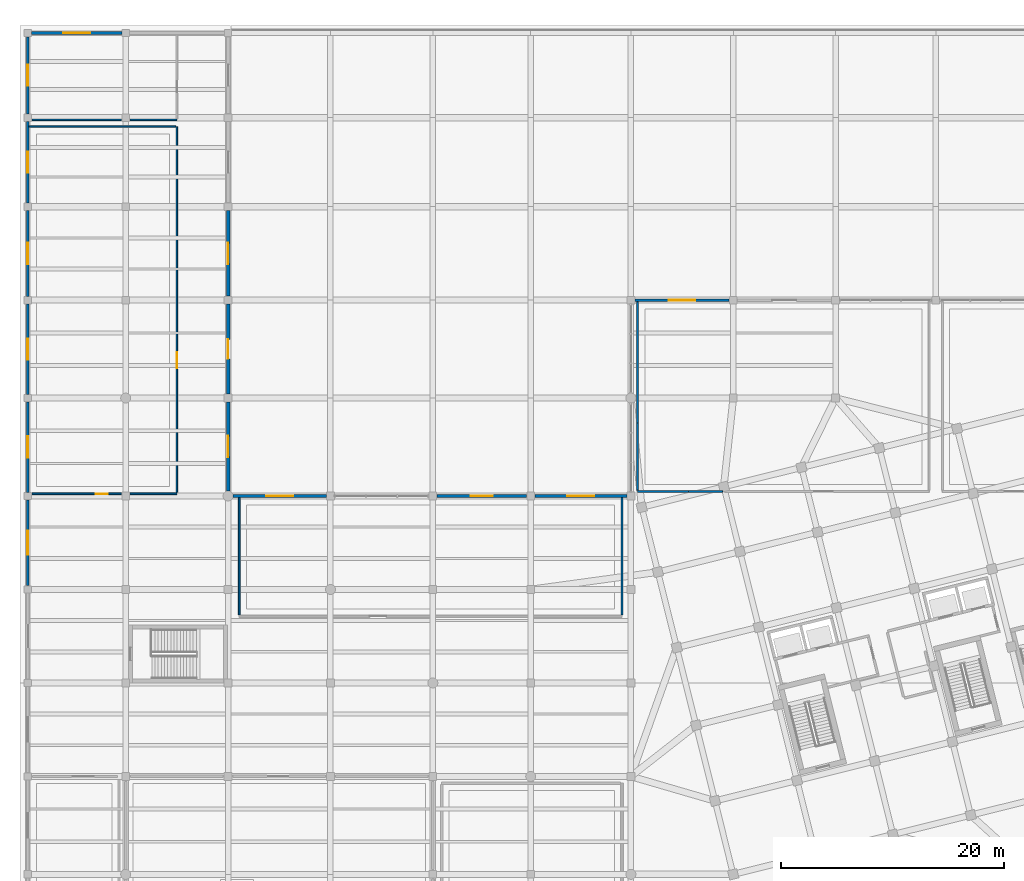
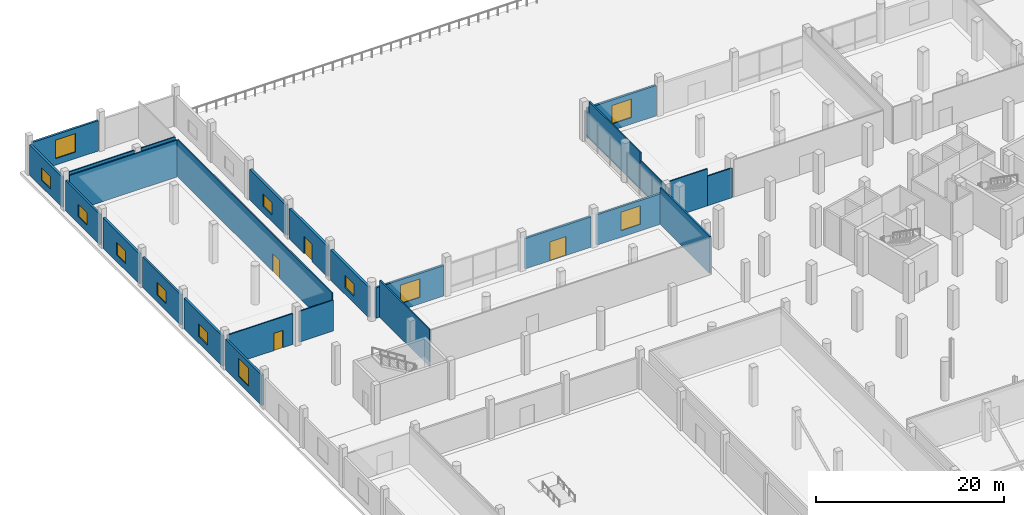
# One storey, part 61 of 73: 26 walls, 12 windows, 4 doors, 16 openings.
"""IFC4 building model written with IfcOpenShell, lengths in metres."""

from ifc_helpers import new_model, si_unit, direction, frame, frame_2d, origin, place, context, subcontext, project, spatial, rectangle, extrude, material, layer, layer_set, type_object, element, fill, save


model = new_model("IFC4")

# Units and contexts
model_context = context("Model", 3, precision=1e-05, world=origin(), true_north=direction((0.0, 1.0)))
body_context = subcontext(model_context, "Body", "Model", "MODEL_VIEW")
ifc_project = project(units=[si_unit("LENGTHUNIT", "METRE"), si_unit("AREAUNIT", "SQUARE_METRE"), si_unit("VOLUMEUNIT", "CUBIC_METRE"), si_unit("PLANEANGLEUNIT", "RADIAN"), si_unit("MASSUNIT", "GRAM", prefix="KILO")], contexts=[model_context])

# Site, building, storey
site_placement = place(None, origin())
site = spatial("IfcSite", under=ifc_project, at=site_placement, CompositionType="ELEMENT")
building_placement = place(site_placement, origin())
building = spatial("IfcBuilding", under=site, at=building_placement, Name="Meriwether Solvik Hall", CompositionType="ELEMENT")
storey_placement = place(building_placement, origin())
storey = spatial("IfcBuildingStorey", under=building, at=storey_placement, Name="L00", CompositionType="ELEMENT", Elevation=0.0)

# Walls
ifc_material_1 = material(Name="Double-Layer Acoustic Gypsum Board", Category="gypsum")
ifc_layer_1 = layer(ifc_material_1, 0.1650390625)
ifc_layer_set_1 = layer_set([ifc_layer_1], Name="Double-Layer Acoustic Gypsum Board")
wall_type_1 = type_object("IfcWallType", Name="WALL-DEM-165", PredefinedType="PARTITIONING", material=ifc_layer_set_1)
for number, where, z_axis, x_axis, name in (
    (1, (58.60009765625, 64.52001953125, 0.0), (0.0, 0.0, 1.0), (0.0, 1.0, 0.0), "L00 Interior Partition vol_west_e"),
    (2, (24.199951171875, 75.050048828125, 0.0), (0.0, 0.0, 1.0), (0.0, -1.0, 0.0), "L00 Interior Partition vol_west_w"),
):
    element("IfcWall", number, at=place(storey_placement, frame(where, z_axis=z_axis, x_axis=x_axis)), inside=storey, type_object=wall_type_1, Name=name, PredefinedType="PARTITIONING", context=body_context, shape_type="SweptSolid", body=[
        extrude(rectangle(XDim=10.530029296875, YDim=0.1650390625, at=frame_2d((5.26513671875, 0.0))), origin(), (0.0, 0.0, 1.0), 4.800048828125),
    ])

# Wall, opening, window
ifc_material_2 = material(Name="Terracotta Cladding on Concrete C40/50", Category="masonry")
ifc_layer_2 = layer(ifc_material_2, 0.2548828125)
ifc_layer_set_2 = layer_set([ifc_layer_2], Name="Terracotta Cladding on Concrete C40/50")
wall_type_2 = type_object("IfcWallType", Name="WALL-EXT-255", PredefinedType="SOLIDWALL", material=ifc_layer_set_2)
wall_1_placement = place(storey_placement, frame((23.662109375, 75.199951171875, 0.0), z_axis=(0.0, 0.0, 1.0), x_axis=(1.0, 0.0, 0.0)))
wall_1 = element("IfcWall", 3, at=wall_1_placement, inside=storey, type_object=wall_type_2, Name="L00 N Wing Facade Wall XI_3_18", PredefinedType="SOLIDWALL", context=body_context, shape_type="SweptSolid", body=[
    extrude(rectangle(XDim=8.3759765625, YDim=0.2548828125, at=frame_2d((4.18798828125, 0.0))), origin(), (0.0, 0.0, 1.0), 3.93994140625),
])
opening_1_placement = place(wall_1_placement, frame((2.988037109375, 0.0, 0.85009765625)))
opening_1 = element("IfcOpeningElement", 4, at=opening_1_placement, cuts=wall_1, Name="Opening WN-105", PredefinedType="OPENING", context=body_context, shape_type="SweptSolid", body=[
    extrude(rectangle(XDim=2.39990234375, YDim=2.39990234375, at=frame_2d((1.199951171875, 1.199951171875))), frame((0.0, 0.139404296875, 0.0), z_axis=(0.0, -1.0, 0.0), x_axis=(1.0, 0.0, 0.0)), (0.0, 0.0, 1.0), 0.27880859375),
])
ifc_material_3 = material(Name="Thermally Broken Anodised Aluminium and Triple Low-E Glass", Category="aluminium")
window_type_1 = type_object("IfcWindowType", Name="WIN-POD-NORTH-240X240", PartitioningType="SINGLE_PANEL", PredefinedType="WINDOW", material=ifc_material_3)
window_1_placement = place(opening_1_placement, origin())
window_1 = element("IfcWindow", 5, at=window_1_placement, inside=storey, type_object=window_type_1, Name="L00 N Window XI_3_18", OverallHeight=2.39990234375, OverallWidth=2.39990234375, PartitioningType="SINGLE_PANEL", PredefinedType="WINDOW", context=body_context, shape_type="SweptSolid", body=[
    extrude(rectangle(XDim=2.39990234375, YDim=2.39990234375, at=frame_2d((1.199951171875, 1.199951171875))), frame((0.0, 0.030029296875, 0.0), z_axis=(0.0, -1.0, 0.0), x_axis=(1.0, 0.0, 0.0)), (0.0, 0.0, 1.0), 0.06005859375),
])
fill(opening_1, window_1)

# Wall, opening, door
wall_2_placement = place(storey_placement, frame((41.9619140625, 75.199951171875, 0.0), z_axis=(0.0, 0.0, 1.0), x_axis=(1.0, 0.0, 0.0)))
wall_2 = element("IfcWall", 6, at=wall_2_placement, inside=storey, type_object=wall_type_2, Name="L00 N Wing Facade Wall XI_5_20", PredefinedType="SOLIDWALL", context=body_context, shape_type="SweptSolid", body=[
    extrude(rectangle(XDim=8.076171875, YDim=0.2548828125, at=frame_2d((4.0380859375, 0.0))), origin(), (0.0, 0.0, 1.0), 3.93994140625),
])
opening_2_placement = place(wall_2_placement, frame((3.0380859375, 0.0, 0.0)))
opening_2 = element("IfcOpeningElement", 7, at=opening_2_placement, cuts=wall_2, Name="Opening D-138", PredefinedType="OPENING", context=body_context, shape_type="SweptSolid", body=[
    extrude(rectangle(XDim=2.0, YDim=2.449951171875, at=frame_2d((1.0, 1.22509765625))), frame((0.0, 0.139404296875, 0.0), z_axis=(0.0, -1.0, 0.0), x_axis=(1.0, 0.0, 0.0)), (0.0, 0.0, 1.0), 0.27880859375),
])
ifc_material_4 = material(Name="Thermally Broken Anodised Aluminium and Laminated Glass", Category="aluminium")
door_type_1 = type_object("IfcDoorType", Name="DR-EXT-EXIT-2000", OperationType="DOUBLE_DOOR_SINGLE_SWING", PredefinedType="DOOR", material=ifc_material_4)
door_1_placement = place(opening_2_placement, origin())
door_1 = element("IfcDoor", 8, at=door_1_placement, inside=storey, type_object=door_type_1, Name="North Garden Court West Exit Door", OperationType="DOUBLE_DOOR_SINGLE_SWING", OverallHeight=2.449951171875, OverallWidth=2.0, PredefinedType="DOOR", context=body_context, shape_type="SweptSolid", body=[
    extrude(rectangle(XDim=2.0, YDim=2.449951171875, at=frame_2d((1.0, 1.22509765625))), frame((0.0, 0.02490234375, 0.0), z_axis=(0.0, -1.0, 0.0), x_axis=(1.0, 0.0, 0.0)), (0.0, 0.0, 1.0), 0.050048828125),
])
fill(opening_2, door_1)

# Wall, opening, window
wall_3_placement = place(storey_placement, frame((50.761962890625, 75.199951171875, 0.0), z_axis=(0.0, 0.0, 1.0), x_axis=(1.0, 0.0, 0.0)))
wall_3 = element("IfcWall", 9, at=wall_3_placement, inside=storey, type_object=wall_type_2, Name="L00 N Wing Facade Wall XI_6_21", PredefinedType="SOLIDWALL", context=body_context, shape_type="SweptSolid", body=[
    extrude(rectangle(XDim=8.276123046875, YDim=0.2548828125, at=frame_2d((4.13818359375, 0.0))), origin(), (0.0, 0.0, 1.0), 3.93994140625),
])
opening_3_placement = place(wall_3_placement, frame((2.93798828125, 0.0, 0.85009765625)))
opening_3 = element("IfcOpeningElement", 10, at=opening_3_placement, cuts=wall_3, Name="Opening WN-105", PredefinedType="OPENING", context=body_context, shape_type="SweptSolid", body=[
    extrude(rectangle(XDim=2.39990234375, YDim=2.39990234375, at=frame_2d((1.199951171875, 1.199951171875))), frame((0.0, 0.139404296875, 0.0), z_axis=(0.0, -1.0, 0.0), x_axis=(1.0, 0.0, 0.0)), (0.0, 0.0, 1.0), 0.27880859375),
])
window_2_placement = place(opening_3_placement, origin())
window_2 = element("IfcWindow", 11, at=window_2_placement, inside=storey, type_object=window_type_1, Name="L00 N Window XI_6_21", OverallHeight=2.39990234375, OverallWidth=2.39990234375, PartitioningType="SINGLE_PANEL", PredefinedType="WINDOW", context=body_context, shape_type="SweptSolid", body=[
    extrude(rectangle(XDim=2.39990234375, YDim=2.39990234375, at=frame_2d((1.199951171875, 1.199951171875))), frame((0.0, 0.030029296875, 0.0), z_axis=(0.0, -1.0, 0.0), x_axis=(1.0, 0.0, 0.0)), (0.0, 0.0, 1.0), 0.06005859375),
])
fill(opening_3, window_2)

wall_4_placement = place(storey_placement, frame((59.761962890625, 92.800048828125, 0.0), z_axis=(0.0, 0.0, 1.0), x_axis=(1.0, 0.0, 0.0)))
wall_4 = element("IfcWall", 12, at=wall_4_placement, inside=storey, type_object=wall_type_2, Name="L00 N Wing Facade Wall XK_7_22", PredefinedType="SOLIDWALL", context=body_context, shape_type="SweptSolid", body=[
    extrude(rectangle(XDim=8.47607421875, YDim=0.2548828125, at=frame_2d((4.238037109375, 0.0))), origin(), (0.0, 0.0, 1.0), 3.93994140625),
])
opening_4_placement = place(wall_4_placement, frame((3.0380859375, 0.0, 0.85009765625)))
opening_4 = element("IfcOpeningElement", 13, at=opening_4_placement, cuts=wall_4, Name="Opening WN-105", PredefinedType="OPENING", context=body_context, shape_type="SweptSolid", body=[
    extrude(rectangle(XDim=2.39990234375, YDim=2.39990234375, at=frame_2d((1.199951171875, 1.199951171875))), frame((0.0, 0.139404296875, 0.0), z_axis=(0.0, -1.0, 0.0), x_axis=(1.0, 0.0, 0.0)), (0.0, 0.0, 1.0), 0.27880859375),
])
window_3_placement = place(opening_4_placement, origin())
window_3 = element("IfcWindow", 14, at=window_3_placement, inside=storey, type_object=window_type_1, Name="L00 N Window XK_7_22", OverallHeight=2.39990234375, OverallWidth=2.39990234375, PartitioningType="SINGLE_PANEL", PredefinedType="WINDOW", context=body_context, shape_type="SweptSolid", body=[
    extrude(rectangle(XDim=2.39990234375, YDim=2.39990234375, at=frame_2d((1.199951171875, 1.199951171875))), frame((0.0, 0.030029296875, 0.0), z_axis=(0.0, -1.0, 0.0), x_axis=(1.0, 0.0, 0.0)), (0.0, 0.0, 1.0), 0.06005859375),
])
fill(opening_4, window_3)

wall_5_placement = place(storey_placement, frame((5.537109375, 116.800048828125, 0.0), z_axis=(0.0, 0.0, 1.0), x_axis=(1.0, 0.0, 0.0)))
wall_5 = element("IfcWall", 15, at=wall_5_placement, inside=storey, type_object=wall_type_2, Name="L00 N Wing Facade Wall XN_1_27", PredefinedType="SOLIDWALL", context=body_context, shape_type="SweptSolid", body=[
    extrude(rectangle(XDim=8.1259765625, YDim=0.2548828125, at=frame_2d((4.06298828125, 0.0))), origin(), (0.0, 0.0, 1.0), 3.93994140625),
])
opening_5_placement = place(wall_5_placement, frame((2.863037109375, 0.0, 0.85009765625)))
opening_5 = element("IfcOpeningElement", 16, at=opening_5_placement, cuts=wall_5, Name="Opening WN-105", PredefinedType="OPENING", context=body_context, shape_type="SweptSolid", body=[
    extrude(rectangle(XDim=2.39990234375, YDim=2.39990234375, at=frame_2d((1.199951171875, 1.199951171875))), frame((0.0, 0.139404296875, 0.0), z_axis=(0.0, -1.0, 0.0), x_axis=(1.0, 0.0, 0.0)), (0.0, 0.0, 1.0), 0.27880859375),
])
window_4_placement = place(opening_5_placement, origin())
window_4 = element("IfcWindow", 17, at=window_4_placement, inside=storey, type_object=window_type_1, Name="L00 N Window XN_1_27", OverallHeight=2.39990234375, OverallWidth=2.39990234375, PartitioningType="SINGLE_PANEL", PredefinedType="WINDOW", context=body_context, shape_type="SweptSolid", body=[
    extrude(rectangle(XDim=2.39990234375, YDim=2.39990234375, at=frame_2d((1.199951171875, 1.199951171875))), frame((0.0, 0.030029296875, 0.0), z_axis=(0.0, -1.0, 0.0), x_axis=(1.0, 0.0, 0.0)), (0.0, 0.0, 1.0), 0.06005859375),
])
fill(opening_5, window_4)

wall_6_placement = place(storey_placement, frame((5.199951171875, 67.136962890625, 0.0), z_axis=(0.0, 0.0, 1.0), x_axis=(0.0, 1.0, 0.0)))
wall_6 = element("IfcWall", 18, at=wall_6_placement, inside=storey, type_object=wall_type_2, Name="L00 W Wing Facade Wall Y1_8_43", PredefinedType="SOLIDWALL", context=body_context, shape_type="SweptSolid", body=[
    extrude(rectangle(XDim=7.72607421875, YDim=0.2548828125, at=frame_2d((3.863037109375, 0.0))), origin(), (0.0, 0.0, 1.0), 3.93994140625),
])
opening_6_placement = place(wall_6_placement, frame((2.762939453125, 0.0, 0.85009765625)))
opening_6 = element("IfcOpeningElement", 19, at=opening_6_placement, cuts=wall_6, Name="Opening WN-175", PredefinedType="OPENING", context=body_context, shape_type="SweptSolid", body=[
    extrude(rectangle(XDim=2.199951171875, YDim=2.300048828125, at=frame_2d((1.10009765625, 1.14990234375))), frame((0.0, 0.139404296875, 0.0), z_axis=(0.0, -1.0, 0.0), x_axis=(1.0, 0.0, 0.0)), (0.0, 0.0, 1.0), 0.27880859375),
])
ifc_material_5 = material(Name="Thermally Broken Anodised Aluminium and Triple Low-E Glass", Category="aluminium")
window_type_2 = type_object("IfcWindowType", Name="WIN-POD-WEST-220X230", PartitioningType="SINGLE_PANEL", PredefinedType="WINDOW", material=ifc_material_5)
window_5_placement = place(opening_6_placement, origin())
window_5 = element("IfcWindow", 20, at=window_5_placement, inside=storey, type_object=window_type_2, Name="L00 W Window Y1_8_43", OverallHeight=2.300048828125, OverallWidth=2.199951171875, PartitioningType="SINGLE_PANEL", PredefinedType="WINDOW", context=body_context, shape_type="SweptSolid", body=[
    extrude(rectangle(XDim=2.199951171875, YDim=2.300048828125, at=frame_2d((1.10009765625, 1.14990234375))), frame((0.0, 0.030029296875, 0.0), z_axis=(0.0, -1.0, 0.0), x_axis=(1.0, 0.0, 0.0)), (0.0, 0.0, 1.0), 0.06005859375),
])
fill(opening_6, window_5)

wall_7_placement = place(storey_placement, frame((5.199951171875, 75.537109375, 0.0), z_axis=(0.0, 0.0, 1.0), x_axis=(0.0, 1.0, 0.0)))
wall_7 = element("IfcWall", 21, at=wall_7_placement, inside=storey, type_object=wall_type_2, Name="L00 W Wing Facade Wall Y1_9_44", PredefinedType="SOLIDWALL", context=body_context, shape_type="SweptSolid", body=[
    extrude(rectangle(XDim=8.1259765625, YDim=0.2548828125, at=frame_2d((4.06298828125, 0.0))), origin(), (0.0, 0.0, 1.0), 3.93994140625),
])
opening_7_placement = place(wall_7_placement, frame((3.113037109375, 0.0, 0.89990234375)))
opening_7 = element("IfcOpeningElement", 22, at=opening_7_placement, cuts=wall_7, Name="Opening WN-119", PredefinedType="OPENING", context=body_context, shape_type="SweptSolid", body=[
    extrude(rectangle(XDim=1.89990234375, YDim=1.60009765625, at=frame_2d((0.949951171875, 0.800048828125))), frame((0.0, 0.139404296875, 0.0), z_axis=(0.0, -1.0, 0.0), x_axis=(1.0, 0.0, 0.0)), (0.0, 0.0, 1.0), 0.27880859375),
])
ifc_material_6 = material(Name="Thermally Broken Anodised Aluminium and Triple Low-E Glass", Category="aluminium")
window_type_3 = type_object("IfcWindowType", Name="WIN-NURS-190X160", PartitioningType="SINGLE_PANEL", PredefinedType="WINDOW", material=ifc_material_6)
window_6_placement = place(opening_7_placement, origin())
window_6 = element("IfcWindow", 23, at=window_6_placement, inside=storey, type_object=window_type_3, Name="L00 W Window Y1_9_44", OverallHeight=1.60009765625, OverallWidth=1.89990234375, PartitioningType="SINGLE_PANEL", PredefinedType="WINDOW", context=body_context, shape_type="SweptSolid", body=[
    extrude(rectangle(XDim=1.89990234375, YDim=1.60009765625, at=frame_2d((0.949951171875, 0.800048828125))), frame((0.0, 0.030029296875, 0.0), z_axis=(0.0, -1.0, 0.0), x_axis=(1.0, 0.0, 0.0)), (0.0, 0.0, 1.0), 0.06005859375),
])
fill(opening_7, window_6)

wall_8_placement = place(storey_placement, frame((5.199951171875, 84.3369140625, 0.0), z_axis=(0.0, 0.0, 1.0), x_axis=(0.0, 1.0, 0.0)))
wall_8 = element("IfcWall", 24, at=wall_8_placement, inside=storey, type_object=wall_type_2, Name="L00 W Wing Facade Wall Y1_10_45", PredefinedType="SOLIDWALL", context=body_context, shape_type="SweptSolid", body=[
    extrude(rectangle(XDim=8.1259765625, YDim=0.2548828125, at=frame_2d((4.06298828125, 0.0))), origin(), (0.0, 0.0, 1.0), 3.93994140625),
])
opening_8_placement = place(wall_8_placement, frame((3.113037109375, 0.0, 0.89990234375)))
opening_8 = element("IfcOpeningElement", 25, at=opening_8_placement, cuts=wall_8, Name="Opening WN-119", PredefinedType="OPENING", context=body_context, shape_type="SweptSolid", body=[
    extrude(rectangle(XDim=1.89990234375, YDim=1.60009765625, at=frame_2d((0.949951171875, 0.800048828125))), frame((0.0, 0.139404296875, 0.0), z_axis=(0.0, -1.0, 0.0), x_axis=(1.0, 0.0, 0.0)), (0.0, 0.0, 1.0), 0.27880859375),
])
window_7_placement = place(opening_8_placement, origin())
window_7 = element("IfcWindow", 26, at=window_7_placement, inside=storey, type_object=window_type_3, Name="L00 W Window Y1_10_45", OverallHeight=1.60009765625, OverallWidth=1.89990234375, PartitioningType="SINGLE_PANEL", PredefinedType="WINDOW", context=body_context, shape_type="SweptSolid", body=[
    extrude(rectangle(XDim=1.89990234375, YDim=1.60009765625, at=frame_2d((0.949951171875, 0.800048828125))), frame((0.0, 0.030029296875, 0.0), z_axis=(0.0, -1.0, 0.0), x_axis=(1.0, 0.0, 0.0)), (0.0, 0.0, 1.0), 0.06005859375),
])
fill(opening_8, window_7)

wall_9_placement = place(storey_placement, frame((5.199951171875, 93.136962890625, 0.0), z_axis=(0.0, 0.0, 1.0), x_axis=(0.0, 1.0, 0.0)))
wall_9 = element("IfcWall", 27, at=wall_9_placement, inside=storey, type_object=wall_type_2, Name="L00 W Wing Facade Wall Y1_11_46", PredefinedType="SOLIDWALL", context=body_context, shape_type="SweptSolid", body=[
    extrude(rectangle(XDim=7.72607421875, YDim=0.2548828125, at=frame_2d((3.863037109375, 0.0))), origin(), (0.0, 0.0, 1.0), 3.93994140625),
])
opening_9_placement = place(wall_9_placement, frame((2.9130859375, 0.0, 0.89990234375)))
opening_9 = element("IfcOpeningElement", 28, at=opening_9_placement, cuts=wall_9, Name="Opening WN-119", PredefinedType="OPENING", context=body_context, shape_type="SweptSolid", body=[
    extrude(rectangle(XDim=1.89990234375, YDim=1.60009765625, at=frame_2d((0.949951171875, 0.800048828125))), frame((0.0, 0.139404296875, 0.0), z_axis=(0.0, -1.0, 0.0), x_axis=(1.0, 0.0, 0.0)), (0.0, 0.0, 1.0), 0.27880859375),
])
window_8_placement = place(opening_9_placement, origin())
window_8 = element("IfcWindow", 29, at=window_8_placement, inside=storey, type_object=window_type_3, Name="L00 W Window Y1_11_46", OverallHeight=1.60009765625, OverallWidth=1.89990234375, PartitioningType="SINGLE_PANEL", PredefinedType="WINDOW", context=body_context, shape_type="SweptSolid", body=[
    extrude(rectangle(XDim=1.89990234375, YDim=1.60009765625, at=frame_2d((0.949951171875, 0.800048828125))), frame((0.0, 0.030029296875, 0.0), z_axis=(0.0, -1.0, 0.0), x_axis=(1.0, 0.0, 0.0)), (0.0, 0.0, 1.0), 0.06005859375),
])
fill(opening_9, window_8)

wall_10_placement = place(storey_placement, frame((5.199951171875, 101.537109375, 0.0), z_axis=(0.0, 0.0, 1.0), x_axis=(0.0, 1.0, 0.0)))
wall_10 = element("IfcWall", 30, at=wall_10_placement, inside=storey, type_object=wall_type_2, Name="L00 W Wing Facade Wall Y1_12_47", PredefinedType="SOLIDWALL", context=body_context, shape_type="SweptSolid", body=[
    extrude(rectangle(XDim=7.325927734375, YDim=0.2548828125, at=frame_2d((3.6630859375, 0.0))), origin(), (0.0, 0.0, 1.0), 3.93994140625),
])
opening_10_placement = place(wall_10_placement, frame((2.712890625, 0.0, 0.89990234375)))
opening_10 = element("IfcOpeningElement", 31, at=opening_10_placement, cuts=wall_10, Name="Opening WN-119", PredefinedType="OPENING", context=body_context, shape_type="SweptSolid", body=[
    extrude(rectangle(XDim=1.89990234375, YDim=1.60009765625, at=frame_2d((0.949951171875, 0.800048828125))), frame((0.0, 0.139404296875, 0.0), z_axis=(0.0, -1.0, 0.0), x_axis=(1.0, 0.0, 0.0)), (0.0, 0.0, 1.0), 0.27880859375),
])
window_9_placement = place(opening_10_placement, origin())
window_9 = element("IfcWindow", 32, at=window_9_placement, inside=storey, type_object=window_type_3, Name="L00 W Window Y1_12_47", OverallHeight=1.60009765625, OverallWidth=1.89990234375, PartitioningType="SINGLE_PANEL", PredefinedType="WINDOW", context=body_context, shape_type="SweptSolid", body=[
    extrude(rectangle(XDim=1.89990234375, YDim=1.60009765625, at=frame_2d((0.949951171875, 0.800048828125))), frame((0.0, 0.030029296875, 0.0), z_axis=(0.0, -1.0, 0.0), x_axis=(1.0, 0.0, 0.0)), (0.0, 0.0, 1.0), 0.06005859375),
])
fill(opening_10, window_9)

wall_11_placement = place(storey_placement, frame((5.199951171875, 109.537109375, 0.0), z_axis=(0.0, 0.0, 1.0), x_axis=(0.0, 1.0, 0.0)))
wall_11 = element("IfcWall", 33, at=wall_11_placement, inside=storey, type_object=wall_type_2, Name="L00 W Wing Facade Wall Y1_13_48", PredefinedType="SOLIDWALL", context=body_context, shape_type="SweptSolid", body=[
    extrude(rectangle(XDim=6.92578125, YDim=0.2548828125, at=frame_2d((3.462890625, 0.0))), origin(), (0.0, 0.0, 1.0), 3.93994140625),
])
opening_11_placement = place(wall_11_placement, frame((2.512939453125, 0.0, 0.89990234375)))
opening_11 = element("IfcOpeningElement", 34, at=opening_11_placement, cuts=wall_11, Name="Opening WN-119", PredefinedType="OPENING", context=body_context, shape_type="SweptSolid", body=[
    extrude(rectangle(XDim=1.89990234375, YDim=1.60009765625, at=frame_2d((0.949951171875, 0.800048828125))), frame((0.0, 0.139404296875, 0.0), z_axis=(0.0, -1.0, 0.0), x_axis=(1.0, 0.0, 0.0)), (0.0, 0.0, 1.0), 0.27880859375),
])
window_10_placement = place(opening_11_placement, origin())
window_10 = element("IfcWindow", 35, at=window_10_placement, inside=storey, type_object=window_type_3, Name="L00 W Window Y1_13_48", OverallHeight=1.60009765625, OverallWidth=1.89990234375, PartitioningType="SINGLE_PANEL", PredefinedType="WINDOW", context=body_context, shape_type="SweptSolid", body=[
    extrude(rectangle(XDim=1.89990234375, YDim=1.60009765625, at=frame_2d((0.949951171875, 0.800048828125))), frame((0.0, 0.030029296875, 0.0), z_axis=(0.0, -1.0, 0.0), x_axis=(1.0, 0.0, 0.0)), (0.0, 0.0, 1.0), 0.06005859375),
])
fill(opening_11, window_10)

ifc_material_7 = material(Name="Concrete C40/50 Precast", Category="concrete")
ifc_layer_3 = layer(ifc_material_7, 0.31494140625)
ifc_layer_set_3 = layer_set([ifc_layer_3], Name="Concrete C40/50 Precast")
wall_type_3 = type_object("IfcWallType", Name="WALL-EXT-315", PredefinedType="SOLIDWALL", material=ifc_layer_set_3)
wall_12_placement = place(storey_placement, frame((23.199951171875, 83.637939453125, 0.0), z_axis=(0.0, 0.0, 1.0), x_axis=(0.0, -1.0, 0.0)))
wall_12 = element("IfcWall", 36, at=wall_12_placement, inside=storey, type_object=wall_type_3, Name="L00 E Wing Facade Wall Y3_9_49", PredefinedType="SOLIDWALL", context=body_context, shape_type="SweptSolid", body=[
    extrude(rectangle(XDim=7.975830078125, YDim=0.31494140625, at=frame_2d((3.98779296875, 0.0))), origin(), (0.0, 0.0, 1.0), 3.93994140625),
])
opening_12_placement = place(wall_12_placement, frame((3.0380859375, 0.0, 0.89990234375)))
opening_12 = element("IfcOpeningElement", 37, at=opening_12_placement, cuts=wall_12, Name="Opening WN-119", PredefinedType="OPENING", context=body_context, shape_type="SweptSolid", body=[
    extrude(rectangle(XDim=1.89990234375, YDim=1.60009765625, at=frame_2d((0.949951171875, 0.800048828125))), frame((0.0, 0.16943359375, 0.0), z_axis=(0.0, -1.0, 0.0), x_axis=(1.0, 0.0, 0.0)), (0.0, 0.0, 1.0), 0.3388671875),
])
window_11_placement = place(opening_12_placement, origin())
window_11 = element("IfcWindow", 38, at=window_11_placement, inside=storey, type_object=window_type_3, Name="L00 E Window Y3_9_49", OverallHeight=1.60009765625, OverallWidth=1.89990234375, PartitioningType="SINGLE_PANEL", PredefinedType="WINDOW", context=body_context, shape_type="SweptSolid", body=[
    extrude(rectangle(XDim=1.89990234375, YDim=1.60009765625, at=frame_2d((0.949951171875, 0.800048828125))), frame((0.0, 0.030029296875, 0.0), z_axis=(0.0, -1.0, 0.0), x_axis=(1.0, 0.0, 0.0)), (0.0, 0.0, 1.0), 0.06005859375),
])
fill(opening_12, window_11)

# Wall, opening, door
wall_13_placement = place(storey_placement, frame((23.199951171875, 92.43798828125, 0.0), z_axis=(0.0, 0.0, 1.0), x_axis=(0.0, -1.0, 0.0)))
wall_13 = element("IfcWall", 39, at=wall_13_placement, inside=storey, type_object=wall_type_3, Name="L00 E Wing Facade Wall Y3_10_50", PredefinedType="SOLIDWALL", context=body_context, shape_type="SweptSolid", body=[
    extrude(rectangle(XDim=8.075927734375, YDim=0.31494140625, at=frame_2d((4.0380859375, 0.0))), origin(), (0.0, 0.0, 1.0), 3.93994140625),
])
opening_13_placement = place(wall_13_placement, frame((3.1630859375, 0.0, 0.0)))
opening_13 = element("IfcOpeningElement", 40, at=opening_13_placement, cuts=wall_13, Name="Opening D-139", PredefinedType="OPENING", context=body_context, shape_type="SweptSolid", body=[
    extrude(rectangle(XDim=1.75, YDim=2.25, at=frame_2d((0.875, 1.125))), frame((0.0, 0.16943359375, 0.0), z_axis=(0.0, -1.0, 0.0), x_axis=(1.0, 0.0, 0.0)), (0.0, 0.0, 1.0), 0.3388671875),
])
ifc_material_8 = material(Name="Thermally Broken Anodised Aluminium and Laminated Glass", Category="aluminium")
door_type_2 = type_object("IfcDoorType", Name="DR-EXT-NURS-1750", OperationType="DOUBLE_DOOR_SINGLE_SWING", PredefinedType="DOOR", material=ifc_material_8)
door_2_placement = place(opening_13_placement, origin())
door_2 = element("IfcDoor", 41, at=door_2_placement, inside=storey, type_object=door_type_2, Name="Nursery Outdoor Play Court Door", OperationType="DOUBLE_DOOR_SINGLE_SWING", OverallHeight=2.25, OverallWidth=1.75, PredefinedType="DOOR", context=body_context, shape_type="SweptSolid", body=[
    extrude(rectangle(XDim=1.75, YDim=2.25, at=frame_2d((0.875, 1.125))), frame((0.0, 0.02490234375, 0.0), z_axis=(0.0, -1.0, 0.0), x_axis=(1.0, 0.0, 0.0)), (0.0, 0.0, 1.0), 0.050048828125),
])
fill(opening_13, door_2)

# Wall, opening, window
wall_14_placement = place(storey_placement, frame((23.199951171875, 100.837890625, 0.0), z_axis=(0.0, 0.0, 1.0), x_axis=(0.0, -1.0, 0.0)))
wall_14 = element("IfcWall", 42, at=wall_14_placement, inside=storey, type_object=wall_type_3, Name="L00 E Wing Facade Wall Y3_11_51", PredefinedType="SOLIDWALL", context=body_context, shape_type="SweptSolid", body=[
    extrude(rectangle(XDim=7.67578125, YDim=0.31494140625, at=frame_2d((3.837890625, 0.0))), origin(), (0.0, 0.0, 1.0), 3.93994140625),
])
opening_14_placement = place(wall_14_placement, frame((2.887939453125, 0.0, 0.89990234375)))
opening_14 = element("IfcOpeningElement", 43, at=opening_14_placement, cuts=wall_14, Name="Opening WN-119", PredefinedType="OPENING", context=body_context, shape_type="SweptSolid", body=[
    extrude(rectangle(XDim=1.89990234375, YDim=1.60009765625, at=frame_2d((0.949951171875, 0.800048828125))), frame((0.0, 0.16943359375, 0.0), z_axis=(0.0, -1.0, 0.0), x_axis=(1.0, 0.0, 0.0)), (0.0, 0.0, 1.0), 0.3388671875),
])
window_12_placement = place(opening_14_placement, origin())
window_12 = element("IfcWindow", 44, at=window_12_placement, inside=storey, type_object=window_type_3, Name="L00 E Window Y3_11_51", OverallHeight=1.60009765625, OverallWidth=1.89990234375, PartitioningType="SINGLE_PANEL", PredefinedType="WINDOW", context=body_context, shape_type="SweptSolid", body=[
    extrude(rectangle(XDim=1.89990234375, YDim=1.60009765625, at=frame_2d((0.949951171875, 0.800048828125))), frame((0.0, 0.030029296875, 0.0), z_axis=(0.0, -1.0, 0.0), x_axis=(1.0, 0.0, 0.0)), (0.0, 0.0, 1.0), 0.06005859375),
])
fill(opening_14, window_12)

# Wall, opening, door
ifc_material_9 = material(Name="Gypsum Board Partition", Category="gypsum")
ifc_layer_4 = layer(ifc_material_9, 0.14990234375)
ifc_layer_set_4 = layer_set([ifc_layer_4], Name="Gypsum Board Partition")
wall_type_4 = type_object("IfcWallType", Name="WALL-PART-150", PredefinedType="PARTITIONING", material=ifc_layer_set_4)
wall_15_placement = place(storey_placement, frame((5.589599609375, 75.39990234375, 0.0), z_axis=(0.0, 0.0, 1.0), x_axis=(1.0, 0.0, 0.0)))
wall_15 = element("IfcWall", 45, at=wall_15_placement, inside=storey, type_object=wall_type_4, Name="L00 Interior Partition nursery_s", PredefinedType="PARTITIONING", context=body_context, shape_type="SweptSolid", body=[
    extrude(rectangle(XDim=8.020751953125, YDim=0.14990234375, at=frame_2d((4.01025390625, 0.0))), origin(), (0.0, 0.0, 1.0), 4.0),
])
opening_15_placement = place(wall_15_placement, frame((5.70166015625, 0.0, 0.0)))
opening_15 = element("IfcOpeningElement", 46, at=opening_15_placement, cuts=wall_15, Name="Opening D-134", PredefinedType="OPENING", context=body_context, shape_type="SweptSolid", body=[
    extrude(rectangle(XDim=1.10009765625, YDim=2.25, at=frame_2d((0.550048828125, 1.125))), frame((0.0, 0.0869140625, 0.0), z_axis=(0.0, -1.0, 0.0), x_axis=(1.0, 0.0, 0.0)), (0.0, 0.0, 1.0), 0.173828125),
])
ifc_material_10 = material(Name="Laminated Vision Glass and Solid White Oak Timber", Category="wood")
door_type_3 = type_object("IfcDoorType", Name="DR-CLS-1100L", OperationType="SINGLE_SWING_LEFT", PredefinedType="DOOR", material=ifc_material_10)
door_3_placement = place(opening_15_placement, origin())
door_3 = element("IfcDoor", 47, at=door_3_placement, inside=storey, type_object=door_type_3, Name="Nursery Door 1", OperationType="SINGLE_SWING_LEFT", OverallHeight=2.25, OverallWidth=1.10009765625, PredefinedType="DOOR", context=body_context, shape_type="SweptSolid", body=[
    extrude(rectangle(XDim=1.10009765625, YDim=2.25, at=frame_2d((0.550048828125, 1.125))), frame((0.0, 0.02490234375, 0.0), z_axis=(0.0, -1.0, 0.0), x_axis=(1.0, 0.0, 0.0)), (0.0, 0.0, 1.0), 0.050048828125),
])
fill(opening_15, door_3)

# Wall
wall_16_placement = place(storey_placement, frame((14.3896484375, 75.39990234375, 0.0), z_axis=(0.0, 0.0, 1.0), x_axis=(1.0, 0.0, 0.0)))
element("IfcWall", 48, at=wall_16_placement, inside=storey, type_object=wall_type_4, Name="L00 Interior Partition nursery_s_s2", PredefinedType="PARTITIONING", context=body_context, shape_type="SweptSolid", body=[
    extrude(rectangle(XDim=4.21044921875, YDim=0.14990234375, at=frame_2d((2.105224609375, 0.0))), origin(), (0.0, 0.0, 1.0), 4.0),
])

# Wall, opening, door
wall_17_placement = place(storey_placement, frame((18.60009765625, 75.52001953125, 0.0), z_axis=(0.0, 0.0, 1.0), x_axis=(0.0, 1.0, 0.0)))
wall_17 = element("IfcWall", 49, at=wall_17_placement, inside=storey, type_object=wall_type_4, Name="L00 Interior Partition nursery_e", PredefinedType="PARTITIONING", context=body_context, shape_type="SweptSolid", body=[
    extrude(rectangle(XDim=32.8798828125, YDim=0.14990234375, at=frame_2d((16.43994140625, 0.0))), origin(), (0.0, 0.0, 1.0), 4.800048828125),
])
opening_16_placement = place(wall_17_placement, frame((11.181884765625, 0.0, 0.0)))
opening_16 = element("IfcOpeningElement", 50, at=opening_16_placement, cuts=wall_17, Name="Opening D-118", PredefinedType="OPENING", context=body_context, shape_type="SweptSolid", body=[
    extrude(rectangle(XDim=1.39990234375, YDim=2.300048828125, at=frame_2d((0.699951171875, 1.14990234375))), frame((0.0, 0.0869140625, 0.0), z_axis=(0.0, -1.0, 0.0), x_axis=(1.0, 0.0, 0.0)), (0.0, 0.0, 1.0), 0.173828125),
])
ifc_material_11 = material(Name="Solid-Core Rift White Oak Timber", Category="wood")
door_type_4 = type_object("IfcDoorType", Name="DR-YTH-1400", OperationType="DOUBLE_DOOR_SINGLE_SWING", PredefinedType="DOOR", material=ifc_material_11)
door_4_placement = place(opening_16_placement, origin())
door_4 = element("IfcDoor", 51, at=door_4_placement, inside=storey, type_object=door_type_4, Name="Nursery Door", OperationType="DOUBLE_DOOR_SINGLE_SWING", OverallHeight=2.300048828125, OverallWidth=1.39990234375, PredefinedType="DOOR", context=body_context, shape_type="SweptSolid", body=[
    extrude(rectangle(XDim=1.39990234375, YDim=2.300048828125, at=frame_2d((0.699951171875, 1.14990234375))), frame((0.0, 0.02490234375, 0.0), z_axis=(0.0, -1.0, 0.0), x_axis=(1.0, 0.0, 0.0)), (0.0, 0.0, 1.0), 0.050048828125),
])
fill(opening_16, door_4)

# Walls
wall_18_placement = place(storey_placement, frame((18.47998046875, 108.39990234375, 0.0), z_axis=(0.0, 0.0, 1.0), x_axis=(-1.0, 0.0, 0.0)))
element("IfcWall", 52, at=wall_18_placement, inside=storey, type_object=wall_type_4, Name="L00 Interior Partition nursery_n", PredefinedType="PARTITIONING", context=body_context, shape_type="SweptSolid", body=[
    extrude(rectangle(XDim=13.179931640625, YDim=0.14990234375, at=frame_2d((6.58984375, 0.0))), origin(), (0.0, 0.0, 1.0), 4.800048828125),
])
wall_19_placement = place(storey_placement, frame((67.653564453125, 75.60009765625, 0.0), z_axis=(0.0, 0.0, 1.0), x_axis=(-1.0, 0.0, 0.0)))
element("IfcWall", 53, at=wall_19_placement, inside=storey, type_object=wall_type_4, Name="L00 Interior Partition civ_gal_s_s2", PredefinedType="PARTITIONING", context=body_context, shape_type="SweptSolid", body=[
    extrude(rectangle(XDim=3.0615234375, YDim=0.14990234375, at=frame_2d((1.53076171875, 0.0))), origin(), (0.0, 0.0, 1.0), 3.85009765625),
])
wall_20_placement = place(storey_placement, frame((64.592041015625, 75.60009765625, 0.0), z_axis=(0.0, 0.0, 1.0), x_axis=(-1.0, 0.0, 0.0)))
element("IfcWall", 54, at=wall_20_placement, inside=storey, type_object=wall_type_4, Name="L00 Interior Partition civ_gal_s_s3", PredefinedType="PARTITIONING", context=body_context, shape_type="SweptSolid", body=[
    extrude(rectangle(XDim=4.592041015625, YDim=0.14990234375, at=frame_2d((2.2958984375, 0.0))), origin(), (0.0, 0.0, 1.0), 4.800048828125),
])
wall_21_placement = place(storey_placement, frame((60.0, 92.64990234375, 0.0), z_axis=(0.0, 0.0, 1.0), x_axis=(0.0, -1.0, 0.0)))
element("IfcWall", 55, at=wall_21_placement, inside=storey, type_object=wall_type_4, Name="L00 Interior Partition civ_gal_w", PredefinedType="PARTITIONING", context=body_context, shape_type="SweptSolid", body=[
    extrude(rectangle(XDim=10.899658203125, YDim=0.14990234375, at=frame_2d((5.44970703125, 0.0))), origin(), (0.0, 0.0, 1.0), 4.800048828125),
])
wall_22_placement = place(storey_placement, frame((60.0, 81.750244140625, 0.0), z_axis=(0.0, 0.0, 1.0), x_axis=(0.0, -1.0, 0.0)))
element("IfcWall", 56, at=wall_22_placement, inside=storey, type_object=wall_type_4, Name="L00 Interior Partition civ_gal_w_s2", PredefinedType="PARTITIONING", context=body_context, shape_type="SweptSolid", body=[
    extrude(rectangle(XDim=6.0302734375, YDim=0.14990234375, at=frame_2d((3.01513671875, 0.0))), origin(), (0.0, 0.0, 1.0), 3.75),
])
ifc_material_12 = material(Name="Moisture-Resistant Gypsum Board", Category="gypsum")
ifc_layer_5 = layer(ifc_material_12, 0.139892578125)
ifc_layer_set_5 = layer_set([ifc_layer_5], Name="Moisture-Resistant Gypsum Board")
wall_type_5 = type_object("IfcWallType", Name="WALL-WET-140", PredefinedType="PLUMBINGWALL", material=ifc_layer_set_5)
wall_23_placement = place(storey_placement, frame((5.589599609375, 109.0, 0.0), z_axis=(0.0, 0.0, 1.0), x_axis=(1.0, 0.0, 0.0)))
element("IfcWall", 57, at=wall_23_placement, inside=storey, type_object=wall_type_5, Name="L00 Interior Partition nursery_wc_s", PredefinedType="PLUMBINGWALL", context=body_context, shape_type="SweptSolid", body=[
    extrude(rectangle(XDim=8.020751953125, YDim=0.139892578125, at=frame_2d((4.01025390625, 0.0))), origin(), (0.0, 0.0, 1.0), 4.800048828125),
])
wall_24_placement = place(storey_placement, frame((14.3896484375, 109.0, 0.0), z_axis=(0.0, 0.0, 1.0), x_axis=(1.0, 0.0, 0.0)))
element("IfcWall", 58, at=wall_24_placement, inside=storey, type_object=wall_type_5, Name="L00 Interior Partition nursery_wc_s_s2", PredefinedType="PLUMBINGWALL", context=body_context, shape_type="SweptSolid", body=[
    extrude(rectangle(XDim=4.21044921875, YDim=0.139892578125, at=frame_2d((2.105224609375, 0.0))), origin(), (0.0, 0.0, 1.0), 4.800048828125),
])

save(model, "model.ifc")
